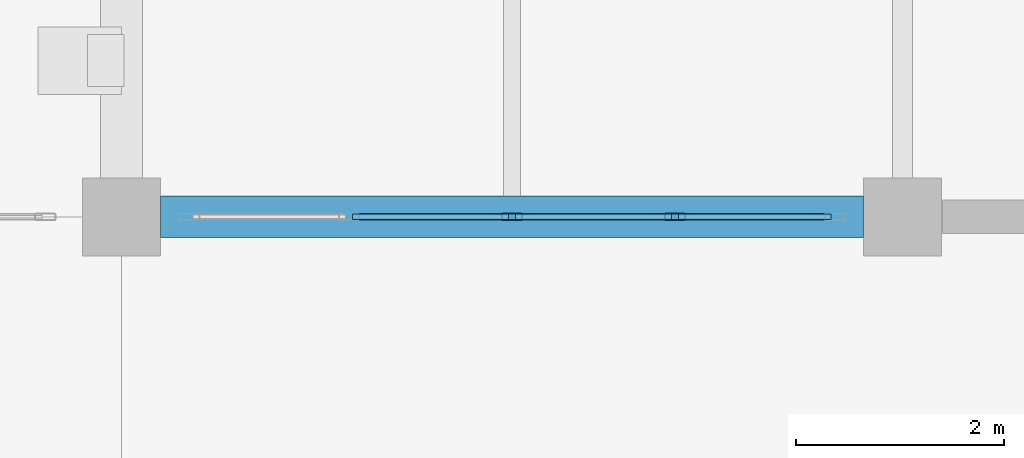
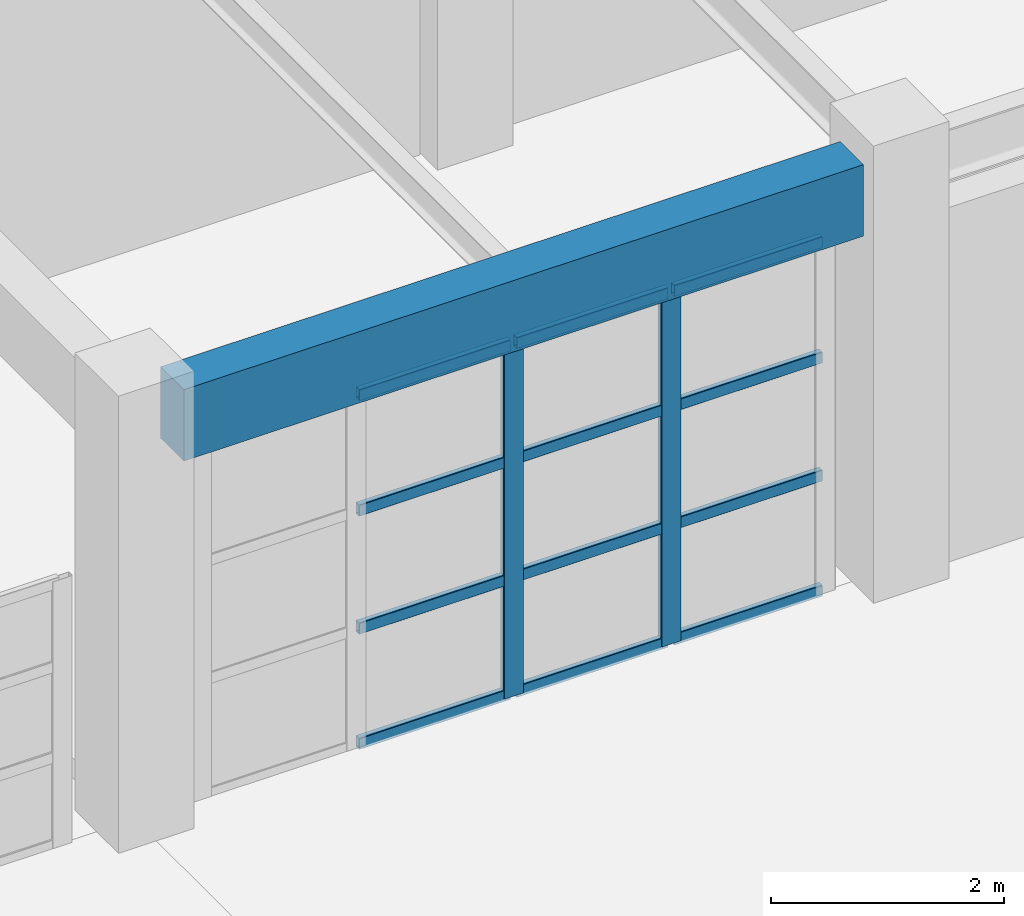
# One storey, part 45 of 122: 14 members, 1 beam, 1 element without a shape of its own.
"""IFC4 building model written with IfcOpenShell, lengths in metres."""

from ifc_helpers import new_model, si_unit, direction, frame, origin, origin_2d, place, context, subcontext, project, spatial, rectangle, hollow_rectangle, extrude, material, material_profile, profile_set, type_object, element, aggregate, save


model = new_model("IFC4")

# Units and contexts
model_context = context("Model", 3, precision=1e-05, world=origin(), true_north=direction((0.0, 1.0)))
body_context = subcontext(model_context, "Body", "Model", "MODEL_VIEW")
ifc_project = project(units=[si_unit("LENGTHUNIT", "METRE"), si_unit("AREAUNIT", "SQUARE_METRE"), si_unit("VOLUMEUNIT", "CUBIC_METRE"), si_unit("PLANEANGLEUNIT", "RADIAN"), si_unit("MASSUNIT", "GRAM", prefix="KILO")], contexts=[model_context])

# Site, building, storey
site_placement = place(None, origin())
site = spatial("IfcSite", under=ifc_project, at=site_placement, CompositionType="ELEMENT")
building_placement = place(site_placement, origin())
building = spatial("IfcBuilding", under=site, at=building_placement, Name="Qasida Concert Hall", CompositionType="ELEMENT")
storey_placement = place(building_placement, origin())
storey = spatial("IfcBuildingStorey", under=building, at=storey_placement, Name="L00", CompositionType="ELEMENT", Elevation=0.0)

# Beam
ifc_material_1 = material(Name="Concrete C40/50", Category="concrete")
ifc_material_profile_1 = material_profile(ifc_material_1, rectangle(XDim=0.39990234375, YDim=0.75, at=origin_2d()), Name="RC 400x750")
ifc_profile_set_1 = profile_set([ifc_material_profile_1], Name="Concrete C40/50")
beam_type = type_object("IfcBeamType", Name="BM-SP1", PredefinedType="SPANDREL", material=ifc_profile_set_1)
beam_placement = place(storey_placement, frame((120.375, 75.0, 4.125), z_axis=(1.0, 0.0, 0.0), x_axis=(0.0, 1.0, 0.0)))
element("IfcBeam", 1, at=beam_placement, inside=storey, type_object=beam_type, Name="Primary girder 0589", PredefinedType="SPANDREL", context=body_context, shape_type="SweptSolid", body=[
    extrude(rectangle(XDim=0.39990234375, YDim=0.75, at=origin_2d()), origin(), (0.0, 0.0, 1.0), 6.75),
])

# Curtain wall, members
ifc_material_2 = material(Name="Architectural bronze-anodized aluminium and low-E glass", Category="aluminium")
curtain_wall_type = type_object("IfcCurtainWallType", Name="CW-03", PredefinedType="NOTDEFINED", material=ifc_material_2)
curtain_wall_placement = place(storey_placement, origin())
curtain_wall = element("IfcCurtainWall", 2, at=curtain_wall_placement, inside=storey, type_object=curtain_wall_type, Name="L00 curtain wall CW-03 0151", PredefinedType="NOTDEFINED")
ifc_material_3 = material(Name="Architectural bronze-anodized aluminium EN AW-6063", Category="aluminium")
ifc_material_profile_2 = material_profile(ifc_material_3, hollow_rectangle(XDim=0.06494140625, YDim=0.199951171875, WallThickness=0.0048828125, InnerFilletRadius=0.0048828125, OuterFilletRadius=0.010009765625, at=origin_2d()), Name="CWM 200x65x5")
ifc_profile_set_2 = profile_set([ifc_material_profile_2], Name="Architectural bronze-anodized aluminium EN AW-6063")
member_type_1 = type_object("IfcMemberType", Name="MB-CWM-2", PredefinedType="MULLION", material=ifc_profile_set_2)
member_1_placement = place(storey_placement, frame((123.75, 75.0, 0.0), z_axis=(0.0, 0.0, 1.0), x_axis=(0.0, 1.0, 0.0)))
member_1 = element("IfcMember", 3, at=member_1_placement, type_object=member_type_1, Name="CW-03 mullion 3", PredefinedType="MULLION", context=body_context, shape_type="SweptSolid", body=[
    extrude(hollow_rectangle(XDim=0.06494140625, YDim=0.199951171875, WallThickness=0.0048828125, InnerFilletRadius=0.0048828125, OuterFilletRadius=0.010009765625, at=origin_2d()), origin(), (0.0, 0.0, 1.0), 3.719970703125),
])
member_2_placement = place(storey_placement, frame((125.31494140625, 75.0, 0.0), z_axis=(0.0, 0.0, 1.0), x_axis=(0.0, 1.0, 0.0)))
member_2 = element("IfcMember", 4, at=member_2_placement, type_object=member_type_1, Name="CW-03 mullion 4", PredefinedType="MULLION", context=body_context, shape_type="SweptSolid", body=[
    extrude(hollow_rectangle(XDim=0.06494140625, YDim=0.199951171875, WallThickness=0.0048828125, InnerFilletRadius=0.0048828125, OuterFilletRadius=0.010009765625, at=origin_2d()), origin(), (0.0, 0.0, 1.0), 3.719970703125),
])
ifc_material_profile_3 = material_profile(ifc_material_3, hollow_rectangle(XDim=0.06005859375, YDim=0.1201171875, WallThickness=0.00390625, InnerFilletRadius=0.00390625, OuterFilletRadius=0.008056640625, at=origin_2d()), Name="CWT 120x60x4")
ifc_profile_set_3 = profile_set([ifc_material_profile_3], Name="Architectural bronze-anodized aluminium EN AW-6063")
member_type_2 = type_object("IfcMemberType", Name="MB-CWT-2", PredefinedType="USERDEFINED", material=ifc_profile_set_3)
member_3_placement = place(storey_placement, frame((122.217529296875, 75.0, 0.030029296875), z_axis=(1.0, 0.0, 0.0), x_axis=(0.0, 1.0, 0.0)))
member_3 = element("IfcMember", 5, at=member_3_placement, type_object=member_type_2, Name="CW-03 transom 2.1", ObjectType="TRANSOM", PredefinedType="USERDEFINED", context=body_context, shape_type="SweptSolid", body=[
    extrude(hollow_rectangle(XDim=0.06005859375, YDim=0.1201171875, WallThickness=0.00390625, InnerFilletRadius=0.00390625, OuterFilletRadius=0.008056640625, at=origin_2d()), origin(), (0.0, 0.0, 1.0), 1.5),
])
member_4_placement = place(storey_placement, frame((122.217529296875, 75.0, 1.239990234375), z_axis=(1.0, 0.0, 0.0), x_axis=(0.0, 1.0, 0.0)))
member_4 = element("IfcMember", 6, at=member_4_placement, type_object=member_type_2, Name="CW-03 transom 2.2", ObjectType="TRANSOM", PredefinedType="USERDEFINED", context=body_context, shape_type="SweptSolid", body=[
    extrude(hollow_rectangle(XDim=0.06005859375, YDim=0.1201171875, WallThickness=0.00390625, InnerFilletRadius=0.00390625, OuterFilletRadius=0.008056640625, at=origin_2d()), origin(), (0.0, 0.0, 1.0), 1.5),
])
member_5_placement = place(storey_placement, frame((122.217529296875, 75.0, 2.47998046875), z_axis=(1.0, 0.0, 0.0), x_axis=(0.0, 1.0, 0.0)))
member_5 = element("IfcMember", 7, at=member_5_placement, type_object=member_type_2, Name="CW-03 transom 2.3", ObjectType="TRANSOM", PredefinedType="USERDEFINED", context=body_context, shape_type="SweptSolid", body=[
    extrude(hollow_rectangle(XDim=0.06005859375, YDim=0.1201171875, WallThickness=0.00390625, InnerFilletRadius=0.00390625, OuterFilletRadius=0.008056640625, at=origin_2d()), origin(), (0.0, 0.0, 1.0), 1.5),
])
member_6_placement = place(storey_placement, frame((122.217529296875, 75.0, 3.68994140625), z_axis=(1.0, 0.0, 0.0), x_axis=(0.0, 1.0, 0.0)))
member_6 = element("IfcMember", 8, at=member_6_placement, type_object=member_type_2, Name="CW-03 transom 2.4", ObjectType="TRANSOM", PredefinedType="USERDEFINED", context=body_context, shape_type="SweptSolid", body=[
    extrude(hollow_rectangle(XDim=0.06005859375, YDim=0.1201171875, WallThickness=0.00390625, InnerFilletRadius=0.00390625, OuterFilletRadius=0.008056640625, at=origin_2d()), origin(), (0.0, 0.0, 1.0), 1.5),
])
member_7_placement = place(storey_placement, frame((123.782470703125, 75.0, 0.030029296875), z_axis=(1.0, 0.0, 0.0), x_axis=(0.0, 1.0, 0.0)))
member_7 = element("IfcMember", 9, at=member_7_placement, type_object=member_type_2, Name="CW-03 transom 3.1", ObjectType="TRANSOM", PredefinedType="USERDEFINED", context=body_context, shape_type="SweptSolid", body=[
    extrude(hollow_rectangle(XDim=0.06005859375, YDim=0.1201171875, WallThickness=0.00390625, InnerFilletRadius=0.00390625, OuterFilletRadius=0.008056640625, at=origin_2d()), origin(), (0.0, 0.0, 1.0), 1.5),
])
member_8_placement = place(storey_placement, frame((123.782470703125, 75.0, 1.239990234375), z_axis=(1.0, 0.0, 0.0), x_axis=(0.0, 1.0, 0.0)))
member_8 = element("IfcMember", 10, at=member_8_placement, type_object=member_type_2, Name="CW-03 transom 3.2", ObjectType="TRANSOM", PredefinedType="USERDEFINED", context=body_context, shape_type="SweptSolid", body=[
    extrude(hollow_rectangle(XDim=0.06005859375, YDim=0.1201171875, WallThickness=0.00390625, InnerFilletRadius=0.00390625, OuterFilletRadius=0.008056640625, at=origin_2d()), origin(), (0.0, 0.0, 1.0), 1.5),
])
member_9_placement = place(storey_placement, frame((123.782470703125, 75.0, 2.47998046875), z_axis=(1.0, 0.0, 0.0), x_axis=(0.0, 1.0, 0.0)))
member_9 = element("IfcMember", 11, at=member_9_placement, type_object=member_type_2, Name="CW-03 transom 3.3", ObjectType="TRANSOM", PredefinedType="USERDEFINED", context=body_context, shape_type="SweptSolid", body=[
    extrude(hollow_rectangle(XDim=0.06005859375, YDim=0.1201171875, WallThickness=0.00390625, InnerFilletRadius=0.00390625, OuterFilletRadius=0.008056640625, at=origin_2d()), origin(), (0.0, 0.0, 1.0), 1.5),
])
member_10_placement = place(storey_placement, frame((123.782470703125, 75.0, 3.68994140625), z_axis=(1.0, 0.0, 0.0), x_axis=(0.0, 1.0, 0.0)))
member_10 = element("IfcMember", 12, at=member_10_placement, type_object=member_type_2, Name="CW-03 transom 3.4", ObjectType="TRANSOM", PredefinedType="USERDEFINED", context=body_context, shape_type="SweptSolid", body=[
    extrude(hollow_rectangle(XDim=0.06005859375, YDim=0.1201171875, WallThickness=0.00390625, InnerFilletRadius=0.00390625, OuterFilletRadius=0.008056640625, at=origin_2d()), origin(), (0.0, 0.0, 1.0), 1.5),
])
member_11_placement = place(storey_placement, frame((125.347412109375, 75.0, 0.030029296875), z_axis=(1.0, 0.0, 0.0), x_axis=(0.0, 1.0, 0.0)))
member_11 = element("IfcMember", 13, at=member_11_placement, type_object=member_type_2, Name="CW-03 transom 4.1", ObjectType="TRANSOM", PredefinedType="USERDEFINED", context=body_context, shape_type="SweptSolid", body=[
    extrude(hollow_rectangle(XDim=0.06005859375, YDim=0.1201171875, WallThickness=0.00390625, InnerFilletRadius=0.00390625, OuterFilletRadius=0.008056640625, at=origin_2d()), origin(), (0.0, 0.0, 1.0), 1.467529296875),
])
member_12_placement = place(storey_placement, frame((125.347412109375, 75.0, 1.239990234375), z_axis=(1.0, 0.0, 0.0), x_axis=(0.0, 1.0, 0.0)))
member_12 = element("IfcMember", 14, at=member_12_placement, type_object=member_type_2, Name="CW-03 transom 4.2", ObjectType="TRANSOM", PredefinedType="USERDEFINED", context=body_context, shape_type="SweptSolid", body=[
    extrude(hollow_rectangle(XDim=0.06005859375, YDim=0.1201171875, WallThickness=0.00390625, InnerFilletRadius=0.00390625, OuterFilletRadius=0.008056640625, at=origin_2d()), origin(), (0.0, 0.0, 1.0), 1.467529296875),
])
member_13_placement = place(storey_placement, frame((125.347412109375, 75.0, 2.47998046875), z_axis=(1.0, 0.0, 0.0), x_axis=(0.0, 1.0, 0.0)))
member_13 = element("IfcMember", 15, at=member_13_placement, type_object=member_type_2, Name="CW-03 transom 4.3", ObjectType="TRANSOM", PredefinedType="USERDEFINED", context=body_context, shape_type="SweptSolid", body=[
    extrude(hollow_rectangle(XDim=0.06005859375, YDim=0.1201171875, WallThickness=0.00390625, InnerFilletRadius=0.00390625, OuterFilletRadius=0.008056640625, at=origin_2d()), origin(), (0.0, 0.0, 1.0), 1.467529296875),
])
member_14_placement = place(storey_placement, frame((125.347412109375, 75.0, 3.68994140625), z_axis=(1.0, 0.0, 0.0), x_axis=(0.0, 1.0, 0.0)))
member_14 = element("IfcMember", 16, at=member_14_placement, type_object=member_type_2, Name="CW-03 transom 4.4", ObjectType="TRANSOM", PredefinedType="USERDEFINED", context=body_context, shape_type="SweptSolid", body=[
    extrude(hollow_rectangle(XDim=0.06005859375, YDim=0.1201171875, WallThickness=0.00390625, InnerFilletRadius=0.00390625, OuterFilletRadius=0.008056640625, at=origin_2d()), origin(), (0.0, 0.0, 1.0), 1.467529296875),
])
aggregate(curtain_wall, [member_1, member_2, member_3, member_4, member_5, member_6, member_7, member_8, member_9, member_10, member_11, member_12, member_13, member_14])

save(model, "model.ifc")
